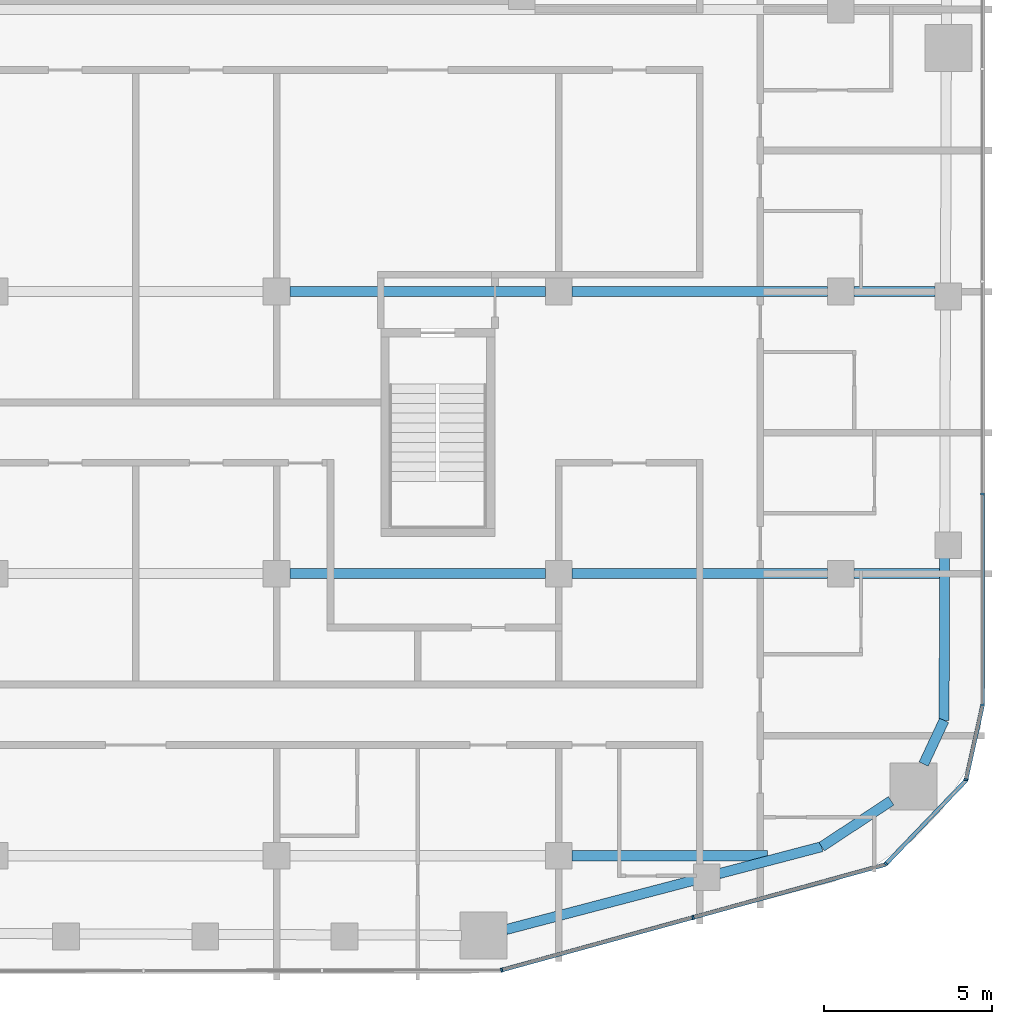
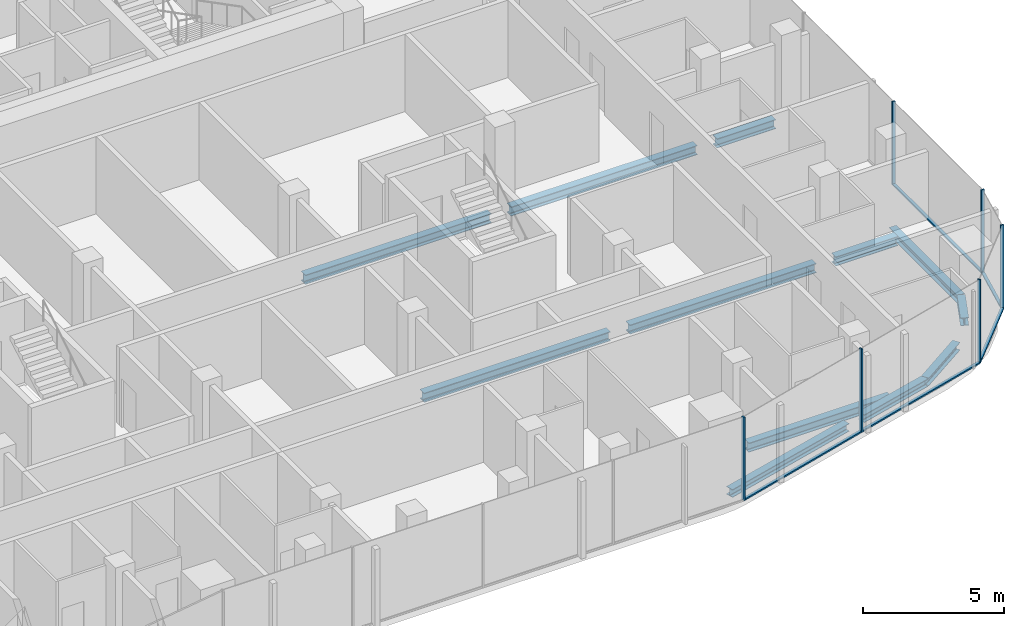
# One storey, part 6 of 22: 12 beams, 11 members, 4 elements without a shape of their own.
"""IFC4 building model written with IfcOpenShell, lengths in metres."""

from ifc_helpers import new_model, si_unit, direction, frame, origin, origin_2d, place, context, subcontext, project, spatial, rectangle, i_section, extrude, material, layer, layer_set, material_profile, profile_set, type_object, element, aggregate, save


model = new_model("IFC4")

# Units and contexts
model_context = context("Model", 3, precision=1e-05, world=origin(), true_north=direction((0.0, 1.0)))
body_context = subcontext(model_context, "Body", "Model", "MODEL_VIEW")
ifc_project = project(units=[si_unit("LENGTHUNIT", "METRE"), si_unit("AREAUNIT", "SQUARE_METRE"), si_unit("VOLUMEUNIT", "CUBIC_METRE"), si_unit("PLANEANGLEUNIT", "RADIAN"), si_unit("MASSUNIT", "GRAM", prefix="KILO")], contexts=[model_context])

# Site, building, storey
site_placement = place(None, origin())
site = spatial("IfcSite", under=ifc_project, at=site_placement, CompositionType="ELEMENT")
building_placement = place(site_placement, origin())
building = spatial("IfcBuilding", under=site, at=building_placement, Name="Marenta Gate Hotel Tower", CompositionType="ELEMENT")
storey_placement = place(building_placement, frame((0.0, 0.0, 187.699951171875)))
storey = spatial("IfcBuildingStorey", under=building, at=storey_placement, Name="L42", CompositionType="ELEMENT", Elevation=187.699951171875)

# Beams
ifc_material_1 = material(Name="Steel S355", Category="steel")
ifc_material_profile_1 = material_profile(ifc_material_1, i_section(OverallWidth=0.300048828125, OverallDepth=0.340087890625, WebThickness=0.011962890625, FlangeThickness=0.021484375, FilletRadius=0.027099609375, at=origin_2d()), Name="HEB 340")
ifc_profile_set_1 = profile_set([ifc_material_profile_1], Name="Steel S355")
beam_type_1 = type_object("IfcBeamType", Name="Edge beam HEB 340", PredefinedType="SPANDREL", material=ifc_profile_set_1)
beam_1_placement = place(storey_placement, frame((24.09130859375, -16.31201171875, -0.429931640625), z_axis=(-0.003318732666, -0.999994492992, 0.0), x_axis=(0.999994492992, -0.003318732666, 0.0)))
element("IfcBeam", 1, at=beam_1_placement, inside=storey, type_object=beam_type_1, Name="L42-EB-27", PredefinedType="SPANDREL", context=body_context, shape_type="SweptSolid", body=[
    extrude(i_section(OverallWidth=0.300048828125, OverallDepth=0.340087890625, WebThickness=0.011962890625, FlangeThickness=0.021484375, FilletRadius=0.027099609375, at=origin_2d()), origin(), (0.0, 0.0, 1.0), 4.855224609375),
])
beam_2_placement = place(storey_placement, frame((24.0751953125, -21.167236328125, -0.429931640625), z_axis=(-0.423341112024, -0.905970365338, 0.0), x_axis=(0.905970365338, -0.423341112024, 0.0)))
element("IfcBeam", 2, at=beam_2_placement, inside=storey, type_object=beam_type_1, Name="L42-EB-28", PredefinedType="SPANDREL", context=body_context, shape_type="SweptSolid", body=[
    extrude(i_section(OverallWidth=0.300048828125, OverallDepth=0.340087890625, WebThickness=0.011962890625, FlangeThickness=0.021484375, FilletRadius=0.027099609375, at=origin_2d()), origin(), (0.0, 0.0, 1.0), 1.437255859375),
])
beam_3_placement = place(storey_placement, frame((22.496337890625, -23.56640625, -0.429931640625), z_axis=(-0.834528740585, -0.550964410047, 0.0), x_axis=(0.550964410047, -0.834528740585, 0.0)))
element("IfcBeam", 3, at=beam_3_placement, inside=storey, type_object=beam_type_1, Name="L42-EB-29", PredefinedType="SPANDREL", context=body_context, shape_type="SweptSolid", body=[
    extrude(i_section(OverallWidth=0.300048828125, OverallDepth=0.340087890625, WebThickness=0.011962890625, FlangeThickness=0.021484375, FilletRadius=0.027099609375, at=origin_2d()), origin(), (0.0, 0.0, 1.0), 2.47705078125),
])
beam_4_placement = place(storey_placement, frame((20.42919921875, -24.93115234375, -0.429931640625), z_axis=(-0.967235227858, -0.253881889845, 0.0), x_axis=(0.253881889845, -0.967235227858, 0.0)))
element("IfcBeam", 4, at=beam_4_placement, inside=storey, type_object=beam_type_1, Name="L42-EB-30", PredefinedType="SPANDREL", context=body_context, shape_type="SweptSolid", body=[
    extrude(i_section(OverallWidth=0.300048828125, OverallDepth=0.340087890625, WebThickness=0.011962890625, FlangeThickness=0.021484375, FilletRadius=0.027099609375, at=origin_2d()), origin(), (0.0, 0.0, 1.0), 3.164794921875),
])
beam_5_placement = place(storey_placement, frame((16.6455078125, -25.92431640625, -0.429931640625), z_axis=(-0.96723496524, -0.253882890359, 0.0), x_axis=(0.253882890359, -0.96723496524, 0.0)))
element("IfcBeam", 5, at=beam_5_placement, inside=storey, type_object=beam_type_1, Name="L42-EB-31", PredefinedType="SPANDREL", context=body_context, shape_type="SweptSolid", body=[
    extrude(i_section(OverallWidth=0.300048828125, OverallDepth=0.340087890625, WebThickness=0.011962890625, FlangeThickness=0.021484375, FilletRadius=0.027099609375, at=origin_2d()), origin(), (0.0, 0.0, 1.0), 5.80810546875),
])
ifc_material_2 = material(Name="Steel S355", Category="steel")
ifc_material_profile_2 = material_profile(ifc_material_2, i_section(OverallWidth=0.300048828125, OverallDepth=0.39990234375, WebThickness=0.013427734375, FlangeThickness=0.02392578125, FilletRadius=0.027099609375, at=origin_2d()), Name="HEB 400")
ifc_profile_set_2 = profile_set([ifc_material_profile_2], Name="Steel S355")
beam_type_2 = type_object("IfcBeamType", Name="Girder HEB 400", PredefinedType="BEAM", material=ifc_profile_set_2)
beam_6_placement = place(storey_placement, frame((13.0, -25.199951171875, -0.4599609375), z_axis=(1.0, 0.0, 0.0), x_axis=(0.0, 1.0, 0.0)))
element("IfcBeam", 6, at=beam_6_placement, inside=storey, type_object=beam_type_2, Name="L42-GD-5", PredefinedType="BEAM", context=body_context, shape_type="SweptSolid", body=[
    extrude(i_section(OverallWidth=0.300048828125, OverallDepth=0.39990234375, WebThickness=0.013427734375, FlangeThickness=0.02392578125, FilletRadius=0.027099609375, at=origin_2d()), origin(), (0.0, 0.0, 1.0), 5.81396484375),
])
beam_7_placement = place(storey_placement, frame((4.60009765625, -16.800048828125, -0.4599609375), z_axis=(1.0, 0.0, 0.0), x_axis=(0.0, 1.0, 0.0)))
element("IfcBeam", 7, at=beam_7_placement, inside=storey, type_object=beam_type_2, Name="L42-GD-10", PredefinedType="BEAM", context=body_context, shape_type="SweptSolid", body=[
    extrude(i_section(OverallWidth=0.300048828125, OverallDepth=0.39990234375, WebThickness=0.013427734375, FlangeThickness=0.02392578125, FilletRadius=0.027099609375, at=origin_2d()), origin(), (0.0, 0.0, 1.0), 7.599853515625),
])
beam_8_placement = place(storey_placement, frame((13.0, -16.800048828125, -0.4599609375), z_axis=(1.0, 0.0, 0.0), x_axis=(0.0, 1.0, 0.0)))
element("IfcBeam", 8, at=beam_8_placement, inside=storey, type_object=beam_type_2, Name="L42-GD-11", PredefinedType="BEAM", context=body_context, shape_type="SweptSolid", body=[
    extrude(i_section(OverallWidth=0.300048828125, OverallDepth=0.39990234375, WebThickness=0.013427734375, FlangeThickness=0.02392578125, FilletRadius=0.027099609375, at=origin_2d()), origin(), (0.0, 0.0, 1.0), 7.60009765625),
])
beam_9_placement = place(storey_placement, frame((21.39990234375, -16.800048828125, -0.4599609375), z_axis=(1.0, 0.0, 0.0), x_axis=(0.0, 1.0, 0.0)))
element("IfcBeam", 9, at=beam_9_placement, inside=storey, type_object=beam_type_2, Name="L42-GD-12", PredefinedType="BEAM", context=body_context, shape_type="SweptSolid", body=[
    extrude(i_section(OverallWidth=0.300048828125, OverallDepth=0.39990234375, WebThickness=0.013427734375, FlangeThickness=0.02392578125, FilletRadius=0.027099609375, at=origin_2d()), origin(), (0.0, 0.0, 1.0), 2.539794921875),
])
beam_10_placement = place(storey_placement, frame((4.60009765625, -8.39990234375, -0.4599609375), z_axis=(1.0, 0.0, 0.0), x_axis=(0.0, 1.0, 0.0)))
element("IfcBeam", 10, at=beam_10_placement, inside=storey, type_object=beam_type_2, Name="L42-GD-17", PredefinedType="BEAM", context=body_context, shape_type="SweptSolid", body=[
    extrude(i_section(OverallWidth=0.300048828125, OverallDepth=0.39990234375, WebThickness=0.013427734375, FlangeThickness=0.02392578125, FilletRadius=0.027099609375, at=origin_2d()), origin(), (0.0, 0.0, 1.0), 7.599853515625),
])
beam_11_placement = place(storey_placement, frame((13.0, -8.39990234375, -0.4599609375), z_axis=(1.0, 0.0, 0.0), x_axis=(0.0, 1.0, 0.0)))
element("IfcBeam", 11, at=beam_11_placement, inside=storey, type_object=beam_type_2, Name="L42-GD-18", PredefinedType="BEAM", context=body_context, shape_type="SweptSolid", body=[
    extrude(i_section(OverallWidth=0.300048828125, OverallDepth=0.39990234375, WebThickness=0.013427734375, FlangeThickness=0.02392578125, FilletRadius=0.027099609375, at=origin_2d()), origin(), (0.0, 0.0, 1.0), 7.60009765625),
])
beam_12_placement = place(storey_placement, frame((21.39990234375, -8.39990234375, -0.4599609375), z_axis=(1.0, 0.0, 0.0), x_axis=(0.0, 1.0, 0.0)))
element("IfcBeam", 12, at=beam_12_placement, inside=storey, type_object=beam_type_2, Name="L42-GD-19", PredefinedType="BEAM", context=body_context, shape_type="SweptSolid", body=[
    extrude(i_section(OverallWidth=0.300048828125, OverallDepth=0.39990234375, WebThickness=0.013427734375, FlangeThickness=0.02392578125, FilletRadius=0.027099609375, at=origin_2d()), origin(), (0.0, 0.0, 1.0), 2.400146484375),
])

# Curtain wall, members
ifc_material_3 = material(Name="Tinted insulated glass in bronze anodised frame", Category="glass")
ifc_layer = layer(ifc_material_3, 0.1201171875)
ifc_layer_set = layer_set([ifc_layer], Name="Tinted insulated glass in bronze anodised frame")
curtain_wall_type = type_object("IfcCurtainWallType", Name="Tower unitised curtain wall CW1", PredefinedType="NOTDEFINED", material=ifc_layer_set)
curtain_wall_1_placement = place(storey_placement, origin())
curtain_wall_1 = element("IfcCurtainWall", 13, at=curtain_wall_1_placement, inside=storey, type_object=curtain_wall_type, Name="CW1 run G08", PredefinedType="NOTDEFINED")
ifc_material_4 = material(Name="Bronze anodised aluminium", Category="aluminium")
ifc_material_profile_3 = material_profile(ifc_material_4, rectangle(XDim=0.1201171875, YDim=0.06005859375, at=origin_2d()), Name="Mullion CW1 60x120 bronze anodised aluminium")
ifc_profile_set_3 = profile_set([ifc_material_profile_3], Name="Bronze anodised aluminium")
member_type_1 = type_object("IfcMemberType", Name="Mullion CW1 60x120 bronze anodised aluminium", PredefinedType="MULLION", material=ifc_profile_set_3)
member_1_placement = place(storey_placement, frame((10.902587890625, -28.6044921875, 0.0), z_axis=(0.0, 0.0, 1.0), x_axis=(-0.265293272675, 0.964167765212, 0.0)))
member_1 = element("IfcMember", 14, at=member_1_placement, type_object=member_type_1, Name="CW1 mullion 1", PredefinedType="MULLION", context=body_context, shape_type="SweptSolid", body=[
    extrude(rectangle(XDim=0.1201171875, YDim=0.06005859375, at=origin_2d()), origin(), (0.0, 0.0, 1.0), 3.60009765625),
])
member_2_placement = place(storey_placement, frame((16.599365234375, -27.037109375, 0.0), z_axis=(0.0, 0.0, 1.0), x_axis=(-0.265293272675, 0.964167765212, 0.0)))
member_2 = element("IfcMember", 15, at=member_2_placement, type_object=member_type_1, Name="CW1 mullion 2", PredefinedType="MULLION", context=body_context, shape_type="SweptSolid", body=[
    extrude(rectangle(XDim=0.1201171875, YDim=0.06005859375, at=origin_2d()), origin(), (0.0, 0.0, 1.0), 3.60009765625),
])

# Curtain wall, member
curtain_wall_2_placement = place(storey_placement, origin())
curtain_wall_2 = element("IfcCurtainWall", 16, at=curtain_wall_2_placement, inside=storey, type_object=curtain_wall_type, Name="CW1 run G09", PredefinedType="NOTDEFINED")
member_3_placement = place(storey_placement, frame((22.345458984375, -25.43994140625, 0.0), z_axis=(0.0, 0.0, 1.0), x_axis=(-0.72137172224, 0.692548076564, 0.0)))
member_3 = element("IfcMember", 17, at=member_3_placement, type_object=member_type_1, Name="CW1 mullion 1", PredefinedType="MULLION", context=body_context, shape_type="SweptSolid", body=[
    extrude(rectangle(XDim=0.1201171875, YDim=0.06005859375, at=origin_2d()), origin(), (0.0, 0.0, 1.0), 3.60009765625),
])

curtain_wall_3_placement = place(storey_placement, origin())
curtain_wall_3 = element("IfcCurtainWall", 18, at=curtain_wall_3_placement, inside=storey, type_object=curtain_wall_type, Name="CW1 run G10", PredefinedType="NOTDEFINED")
member_4_placement = place(storey_placement, frame((24.726806640625, -22.937255859375, 0.0), z_axis=(0.0, 0.0, 1.0), x_axis=(-0.97620669183, 0.216842096529, 0.0)))
member_4 = element("IfcMember", 19, at=member_4_placement, type_object=member_type_1, Name="CW1 mullion 1", PredefinedType="MULLION", context=body_context, shape_type="SweptSolid", body=[
    extrude(rectangle(XDim=0.1201171875, YDim=0.06005859375, at=origin_2d()), origin(), (0.0, 0.0, 1.0), 3.60009765625),
])

# Curtain wall, members
curtain_wall_4_placement = place(storey_placement, origin())
curtain_wall_4 = element("IfcCurtainWall", 20, at=curtain_wall_4_placement, inside=storey, type_object=curtain_wall_type, Name="CW1 run G11", PredefinedType="NOTDEFINED")
member_5_placement = place(storey_placement, frame((25.214111328125, -20.7138671875, 0.0), z_axis=(0.0, 0.0, 1.0), x_axis=(-1.0, 0.0, 0.0)))
member_5 = element("IfcMember", 21, at=member_5_placement, type_object=member_type_1, Name="CW1 mullion 1", PredefinedType="MULLION", context=body_context, shape_type="SweptSolid", body=[
    extrude(rectangle(XDim=0.1201171875, YDim=0.06005859375, at=origin_2d()), origin(), (0.0, 0.0, 1.0), 3.60009765625),
])
member_6_placement = place(storey_placement, frame((25.214111328125, -14.42138671875, 0.0), z_axis=(0.0, 0.0, 1.0), x_axis=(-1.0, 0.0, 0.0)))
member_6 = element("IfcMember", 22, at=member_6_placement, type_object=member_type_1, Name="CW1 mullion 2", PredefinedType="MULLION", context=body_context, shape_type="SweptSolid", body=[
    extrude(rectangle(XDim=0.1201171875, YDim=0.06005859375, at=origin_2d()), origin(), (0.0, 0.0, 1.0), 3.60009765625),
])

# Member
ifc_material_5 = material(Name="Bronze anodised aluminium", Category="aluminium")
ifc_material_profile_4 = material_profile(ifc_material_5, rectangle(XDim=0.1201171875, YDim=0.06005859375, at=origin_2d()), Name="Transom CW1 60x120 bronze anodised aluminium")
ifc_profile_set_4 = profile_set([ifc_material_profile_4], Name="Bronze anodised aluminium")
member_type_2 = type_object("IfcMemberType", Name="Transom CW1 60x120 bronze anodised aluminium", PredefinedType="USERDEFINED", material=ifc_profile_set_4)
member_7_placement = place(storey_placement, frame((10.931640625, -28.5966796875, 0.030029296875), z_axis=(0.964166959812, 0.265296199758, 0.0), x_axis=(-0.265296199758, 0.964166959812, 0.0)))
member_7 = element("IfcMember", 23, at=member_7_placement, type_object=member_type_2, Name="CW1 transom 1.1", ObjectType="TRANSOM", PredefinedType="USERDEFINED", context=body_context, shape_type="SweptSolid", body=[
    extrude(rectangle(XDim=0.1201171875, YDim=0.06005859375, at=origin_2d()), origin(), (0.0, 0.0, 1.0), 5.84814453125),
])

member_8_placement = place(storey_placement, frame((16.628173828125, -27.029052734375, 0.030029296875), z_axis=(0.964169199953, 0.265288058274, 0.0), x_axis=(-0.265288058274, 0.964169199953, 0.0)))
member_8 = element("IfcMember", 24, at=member_8_placement, type_object=member_type_2, Name="CW1 transom 2.1", ObjectType="TRANSOM", PredefinedType="USERDEFINED", context=body_context, shape_type="SweptSolid", body=[
    extrude(rectangle(XDim=0.1201171875, YDim=0.06005859375, at=origin_2d()), origin(), (0.0, 0.0, 1.0), 5.908203125),
])

aggregate(curtain_wall_1, [member_1, member_2, member_7, member_8])

member_9_placement = place(storey_placement, frame((22.366455078125, -25.41845703125, 0.030029296875), z_axis=(0.692521361505, 0.721397368903, 0.0), x_axis=(-0.721397368903, 0.692521361505, 0.0)))
member_9 = element("IfcMember", 25, at=member_9_placement, type_object=member_type_2, Name="CW1 transom 1.1", ObjectType="TRANSOM", PredefinedType="USERDEFINED", context=body_context, shape_type="SweptSolid", body=[
    extrude(rectangle(XDim=0.1201171875, YDim=0.06005859375, at=origin_2d()), origin(), (0.0, 0.0, 1.0), 3.39892578125),
])

aggregate(curtain_wall_2, [member_3, member_9])

member_10_placement = place(storey_placement, frame((24.7333984375, -22.907958984375, 0.030029296875), z_axis=(0.216848830219, 0.976205196069, 0.0), x_axis=(-0.976205196069, 0.216848830219, 0.0)))
member_10 = element("IfcMember", 26, at=member_10_placement, type_object=member_type_2, Name="CW1 transom 1.1", ObjectType="TRANSOM", PredefinedType="USERDEFINED", context=body_context, shape_type="SweptSolid", body=[
    extrude(rectangle(XDim=0.1201171875, YDim=0.06005859375, at=origin_2d()), origin(), (0.0, 0.0, 1.0), 2.216796875),
])

aggregate(curtain_wall_3, [member_4, member_10])

member_11_placement = place(storey_placement, frame((25.214111328125, -20.683837890625, 0.030029296875), z_axis=(0.0, 1.0, 0.0), x_axis=(-1.0, 0.0, 0.0)))
member_11 = element("IfcMember", 27, at=member_11_placement, type_object=member_type_2, Name="CW1 transom 1.1", ObjectType="TRANSOM", PredefinedType="USERDEFINED", context=body_context, shape_type="SweptSolid", body=[
    extrude(rectangle(XDim=0.1201171875, YDim=0.06005859375, at=origin_2d()), origin(), (0.0, 0.0, 1.0), 6.232666015625),
])

aggregate(curtain_wall_4, [member_5, member_6, member_11])

save(model, "model.ifc")
